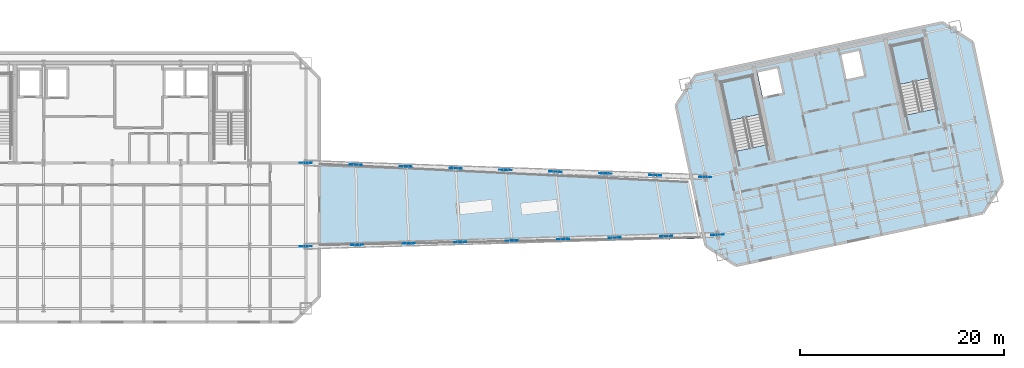
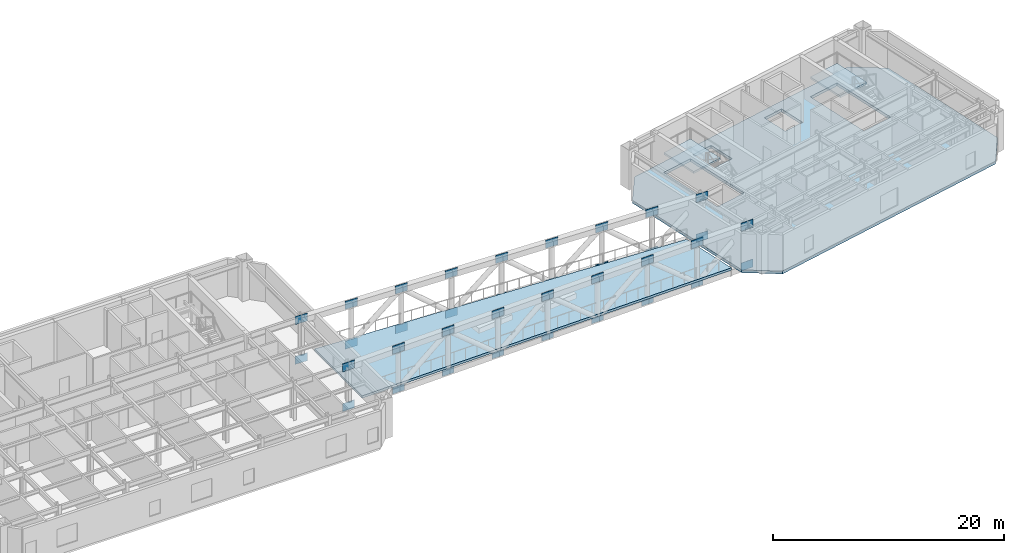
# One storey, part 6 of 14: 36 plates, 4 slabs, 2 elements without a shape of their own.
"""IFC4 building model written with IfcOpenShell, lengths in metres."""

from ifc_helpers import new_model, si_unit, direction, frame, origin, origin_2d, place, context, subcontext, project, spatial, polyline, rectangle, outline, extrude, material, layer, layer_set, type_object, element, aggregate, save


model = new_model("IFC4")

# Units and contexts
model_context = context("Model", 3, precision=1e-05, world=origin(), true_north=direction((0.0, 1.0)))
body_context = subcontext(model_context, "Body", "Model", "MODEL_VIEW")
ifc_project = project(units=[si_unit("LENGTHUNIT", "METRE"), si_unit("AREAUNIT", "SQUARE_METRE"), si_unit("VOLUMEUNIT", "CUBIC_METRE"), si_unit("PLANEANGLEUNIT", "RADIAN"), si_unit("MASSUNIT", "GRAM", prefix="KILO")], contexts=[model_context])

# Site, building, storey
site_placement = place(None, origin())
site = spatial("IfcSite", under=ifc_project, at=site_placement, CompositionType="ELEMENT")
building_placement = place(site_placement, origin())
building = spatial("IfcBuilding", under=site, at=building_placement, Name="Haevon Station Towers", CompositionType="ELEMENT")
storey_placement = place(building_placement, frame((0.0, 0.0, 201.300048828125)))
storey = spatial("IfcBuildingStorey", under=building, at=storey_placement, Name="L55", CompositionType="ELEMENT", Elevation=201.300048828125)

# Plates
ifc_material_1 = material(Name="PL-GUS2", Category="steel")
ifc_layer_1 = layer(ifc_material_1, 0.031982421875)
ifc_layer_set_1 = layer_set([ifc_layer_1], Name="PL-GUS2")
plate_type = type_object("IfcPlateType", Name="PL-GUS2", PredefinedType="USERDEFINED", material=ifc_layer_set_1)
for number, where, z_axis, x_axis, name in (
    (1, (56.52490234375, 30.0, -0.97509765625), (0.0, 0.0, 1.0), (0.999606549458, 0.028048997857, 0.0), "PL-SKP-NODE-S-1M"),
    (2, (56.52490234375, 30.0, 3.224853515625), (0.0, 0.0, 1.0), (0.999606549458, 0.028048997857, 0.0), "PL-SKP-NODE-S-1T"),
    (3, (61.581298828125, 30.141845703125, -0.97509765625), (0.0, 0.0, 1.0), (0.999606549458, 0.028048997857, 0.0), "PL-SKP-NODE-S-2M"),
    (4, (61.581298828125, 30.141845703125, 3.224853515625), (0.0, 0.0, 1.0), (0.999606549458, 0.028048997857, 0.0), "PL-SKP-NODE-S-2T"),
    (5, (66.637451171875, 30.28369140625, -0.97509765625), (0.0, 0.0, 1.0), (0.999606549458, 0.028048997857, 0.0), "PL-SKP-NODE-S-3M"),
    (6, (66.637451171875, 30.28369140625, 3.224853515625), (0.0, 0.0, 1.0), (0.999606549458, 0.028048997857, 0.0), "PL-SKP-NODE-S-3T"),
    (7, (71.693603515625, 30.425537109375, -0.97509765625), (0.0, 0.0, 1.0), (0.999606549458, 0.028048997857, 0.0), "PL-SKP-NODE-S-4M"),
    (8, (71.693603515625, 30.425537109375, 3.224853515625), (0.0, 0.0, 1.0), (0.999606549458, 0.028048997857, 0.0), "PL-SKP-NODE-S-4T"),
    (9, (76.75, 30.567626953125, -0.97509765625), (0.0, 0.0, 1.0), (0.999606549458, 0.028048997857, 0.0), "PL-SKP-NODE-S-5M"),
    (10, (76.75, 30.567626953125, 3.224853515625), (0.0, 0.0, 1.0), (0.999606549458, 0.028048997857, 0.0), "PL-SKP-NODE-S-5T"),
    (11, (81.80615234375, 30.70947265625, -0.97509765625), (0.0, 0.0, 1.0), (0.999606549458, 0.028048997857, 0.0), "PL-SKP-NODE-S-6M"),
    (12, (81.80615234375, 30.70947265625, 3.224853515625), (0.0, 0.0, 1.0), (0.999606549458, 0.028048997857, 0.0), "PL-SKP-NODE-S-6T"),
    (13, (86.8623046875, 30.851318359375, -0.97509765625), (0.0, 0.0, 1.0), (0.999606549458, 0.028048997857, 0.0), "PL-SKP-NODE-S-7M"),
    (14, (86.8623046875, 30.851318359375, 3.224853515625), (0.0, 0.0, 1.0), (0.999606549458, 0.028048997857, 0.0), "PL-SKP-NODE-S-7T"),
    (15, (91.918701171875, 30.9931640625, -0.97509765625), (0.0, 0.0, 1.0), (0.999606549458, 0.028048997857, 0.0), "PL-SKP-NODE-S-8M"),
    (16, (91.918701171875, 30.9931640625, 3.224853515625), (0.0, 0.0, 1.0), (0.999606549458, 0.028048997857, 0.0), "PL-SKP-NODE-S-8T"),
    (17, (96.974853515625, 31.135009765625, -0.97509765625), (0.0, 0.0, 1.0), (0.999606549458, 0.028048997857, 0.0), "PL-SKP-NODE-S-9M"),
    (18, (96.974853515625, 31.135009765625, 3.224853515625), (0.0, 0.0, 1.0), (0.999606549458, 0.028048997857, 0.0), "PL-SKP-NODE-S-9T"),
    (19, (56.52490234375, 38.199951171875, -0.97509765625), (0.0, 0.0, 1.0), (0.999371798296, -0.035440214042, 0.0), "PL-SKP-NODE-N-1M"),
    (20, (56.52490234375, 38.199951171875, 3.224853515625), (0.0, 0.0, 1.0), (0.999371798296, -0.035440214042, 0.0), "PL-SKP-NODE-N-1T"),
    (21, (61.430419921875, 38.026123046875, -0.97509765625), (0.0, 0.0, 1.0), (0.999371798296, -0.035440214042, 0.0), "PL-SKP-NODE-N-2M"),
    (22, (61.430419921875, 38.026123046875, 3.224853515625), (0.0, 0.0, 1.0), (0.999371798296, -0.035440214042, 0.0), "PL-SKP-NODE-N-2T"),
    (23, (66.3359375, 37.85205078125, -0.97509765625), (0.0, 0.0, 1.0), (0.999371798296, -0.035440214042, 0.0), "PL-SKP-NODE-N-3M"),
    (24, (66.3359375, 37.85205078125, 3.224853515625), (0.0, 0.0, 1.0), (0.999371798296, -0.035440214042, 0.0), "PL-SKP-NODE-N-3T"),
    (25, (71.241455078125, 37.67822265625, -0.97509765625), (0.0, 0.0, 1.0), (0.999371798296, -0.035440214042, 0.0), "PL-SKP-NODE-N-4M"),
    (26, (71.241455078125, 37.67822265625, 3.224853515625), (0.0, 0.0, 1.0), (0.999371798296, -0.035440214042, 0.0), "PL-SKP-NODE-N-4T"),
    (27, (76.14697265625, 37.504150390625, -0.97509765625), (0.0, 0.0, 1.0), (0.999371798296, -0.035440214042, 0.0), "PL-SKP-NODE-N-5M"),
    (28, (76.14697265625, 37.504150390625, 3.224853515625), (0.0, 0.0, 1.0), (0.999371798296, -0.035440214042, 0.0), "PL-SKP-NODE-N-5T"),
    (29, (81.052490234375, 37.330078125, -0.97509765625), (0.0, 0.0, 1.0), (0.999371798296, -0.035440214042, 0.0), "PL-SKP-NODE-N-6M"),
    (30, (81.052490234375, 37.330078125, 3.224853515625), (0.0, 0.0, 1.0), (0.999371798296, -0.035440214042, 0.0), "PL-SKP-NODE-N-6T"),
    (31, (85.9580078125, 37.15625, -0.97509765625), (0.0, 0.0, 1.0), (0.999371798296, -0.035440214042, 0.0), "PL-SKP-NODE-N-7M"),
    (32, (85.9580078125, 37.15625, 3.224853515625), (0.0, 0.0, 1.0), (0.999371798296, -0.035440214042, 0.0), "PL-SKP-NODE-N-7T"),
    (33, (90.863525390625, 36.982177734375, -0.97509765625), (0.0, 0.0, 1.0), (0.999371798296, -0.035440214042, 0.0), "PL-SKP-NODE-N-8M"),
    (34, (90.863525390625, 36.982177734375, 3.224853515625), (0.0, 0.0, 1.0), (0.999371798296, -0.035440214042, 0.0), "PL-SKP-NODE-N-8T"),
    (35, (95.76904296875, 36.808349609375, -0.97509765625), (0.0, 0.0, 1.0), (0.999371798296, -0.035440214042, 0.0), "PL-SKP-NODE-N-9M"),
    (36, (95.76904296875, 36.808349609375, 3.224853515625), (0.0, 0.0, 1.0), (0.999371798296, -0.035440214042, 0.0), "PL-SKP-NODE-N-9T"),
):
    element("IfcPlate", number, at=place(storey_placement, frame(where, z_axis=z_axis, x_axis=x_axis)), inside=storey, type_object=plate_type, Name=name, ObjectType="GUSSET_PLATE", PredefinedType="USERDEFINED", context=body_context, shape_type="SweptSolid", body=[
        extrude(rectangle(XDim=1.199951171875, YDim=0.031982421875, at=origin_2d()), origin(), (0.0, 0.0, 1.0), 0.85009765625),
    ])

# Stair, slab
ifc_material_2 = material(Name="Concrete C40/50", Category="concrete")
stair_type = type_object("IfcStairType", Name="STR-DL1450", PredefinedType="USERDEFINED", material=ifc_material_2)
stair_1_placement = place(storey_placement, origin())
stair_1 = element("IfcStair", 37, at=stair_1_placement, inside=storey, type_object=stair_type, Name="L55 Escape Stair ST3", ObjectType="TWO_RETURN_STAIR", PredefinedType="USERDEFINED")
ifc_layer_2 = layer(ifc_material_2, 0.199951171875)
ifc_layer_set_2 = layer_set([ifc_layer_2], Name="Concrete C40/50")
slab_type_1 = type_object("IfcSlabType", Name="SL-LND200", PredefinedType="LANDING", material=ifc_layer_set_2)
slab_1_placement = place(storey_placement, frame((0.0, 0.0, 1.89990234375)))
slab_1 = element("IfcSlab", 38, at=slab_1_placement, type_object=slab_type_1, Name="L55 ST3 Half Landing 1", PredefinedType="LANDING", context=body_context, shape_type="SweptSolid", body=[
    extrude(outline(polyline([(101.171630859375, 42.99072265625), (100.36572265625, 46.781982421875), (97.33349609375, 46.137451171875), (98.139404296875, 42.34619140625), (101.171630859375, 42.99072265625)])), origin(), (0.0, 0.0, 1.0), 0.199951171875),
])
aggregate(stair_1, [slab_1])

stair_2_placement = place(storey_placement, origin())
stair_2 = element("IfcStair", 39, at=stair_2_placement, inside=storey, type_object=stair_type, Name="L55 Escape Stair ST4", ObjectType="TWO_RETURN_STAIR", PredefinedType="USERDEFINED")
slab_2_placement = place(storey_placement, frame((0.0, 0.0, 1.89990234375)))
slab_2 = element("IfcSlab", 40, at=slab_2_placement, type_object=slab_type_1, Name="L55 ST4 Half Landing 1", PredefinedType="LANDING", context=body_context, shape_type="SweptSolid", body=[
    extrude(outline(polyline([(117.85888671875, 46.53759765625), (117.052978515625, 50.328857421875), (114.020751953125, 49.684326171875), (114.82666015625, 45.89306640625), (117.85888671875, 46.53759765625)])), origin(), (0.0, 0.0, 1.0), 0.199951171875),
])
aggregate(stair_2, [slab_2])

# Slabs
ifc_layer_3 = layer(ifc_material_2, 0.300048828125)
ifc_layer_set_3 = layer_set([ifc_layer_3], Name="Concrete C40/50")
slab_type_2 = type_object("IfcSlabType", Name="SL-POD300", PredefinedType="FLOOR", material=ifc_layer_set_3)
slab_3_placement = place(storey_placement, frame((0.0, 0.0, -0.300048828125)))
element("IfcSlab", 41, at=slab_3_placement, inside=storey, type_object=slab_type_2, Name="SL-T2-L55", PredefinedType="FLOOR", context=body_context, shape_type="SweptSolid", body=[
    extrude(outline(polyline([(98.7919921875, 28.116943359375), (123.050048828125, 33.273193359375), (124.975830078125, 36.23828125), (122.037841796875, 50.0595703125), (119.07275390625, 51.985107421875), (94.814697265625, 46.828857421875), (92.88916015625, 43.86376953125), (95.826904296875, 30.04248046875), (98.7919921875, 28.116943359375)]), holes=[polyline([(101.8095703125, 39.98974609375), (100.36572265625, 46.781982421875), (97.33349609375, 46.137451171875), (98.77734375, 39.34521484375), (101.8095703125, 39.98974609375)]), polyline([(118.496826171875, 43.53662109375), (117.052978515625, 50.328857421875), (114.020751953125, 49.684326171875), (115.464599609375, 42.89208984375), (118.496826171875, 43.53662109375)]), polyline([(101.43212890625, 44.554931640625), (103.486328125, 44.99169921875), (102.9248046875, 47.632568359375), (100.870849609375, 47.196044921875), (101.43212890625, 44.554931640625)]), polyline([(109.55078125, 46.28076171875), (111.507080078125, 46.696533203125), (110.94580078125, 49.33740234375), (108.989501953125, 48.921630859375), (109.55078125, 46.28076171875)])]), origin(), (0.0, 0.0, 1.0), 0.300048828125),
])
ifc_layer_4 = layer(ifc_material_2, 0.25)
ifc_layer_set_4 = layer_set([ifc_layer_4], Name="Concrete C40/50")
slab_type_3 = type_object("IfcSlabType", Name="SL-TERR250", PredefinedType="FLOOR", material=ifc_layer_set_4)
slab_4_placement = place(storey_placement, frame((0.0, 0.0, -0.25)))
element("IfcSlab", 42, at=slab_4_placement, inside=storey, type_object=slab_type_3, Name="L55 Sky-Park Planted Observation Terrace Slab", PredefinedType="FLOOR", context=body_context, shape_type="SweptSolid", body=[
    extrude(outline(polyline([(57.8798828125, 30.0), (95.214111328125, 30.7607421875), (94.00830078125, 36.43408203125), (57.8798828125, 38.199951171875), (57.8798828125, 30.0)])), origin(), (0.0, 0.0, 1.0), 0.25),
])

save(model, "model.ifc")
